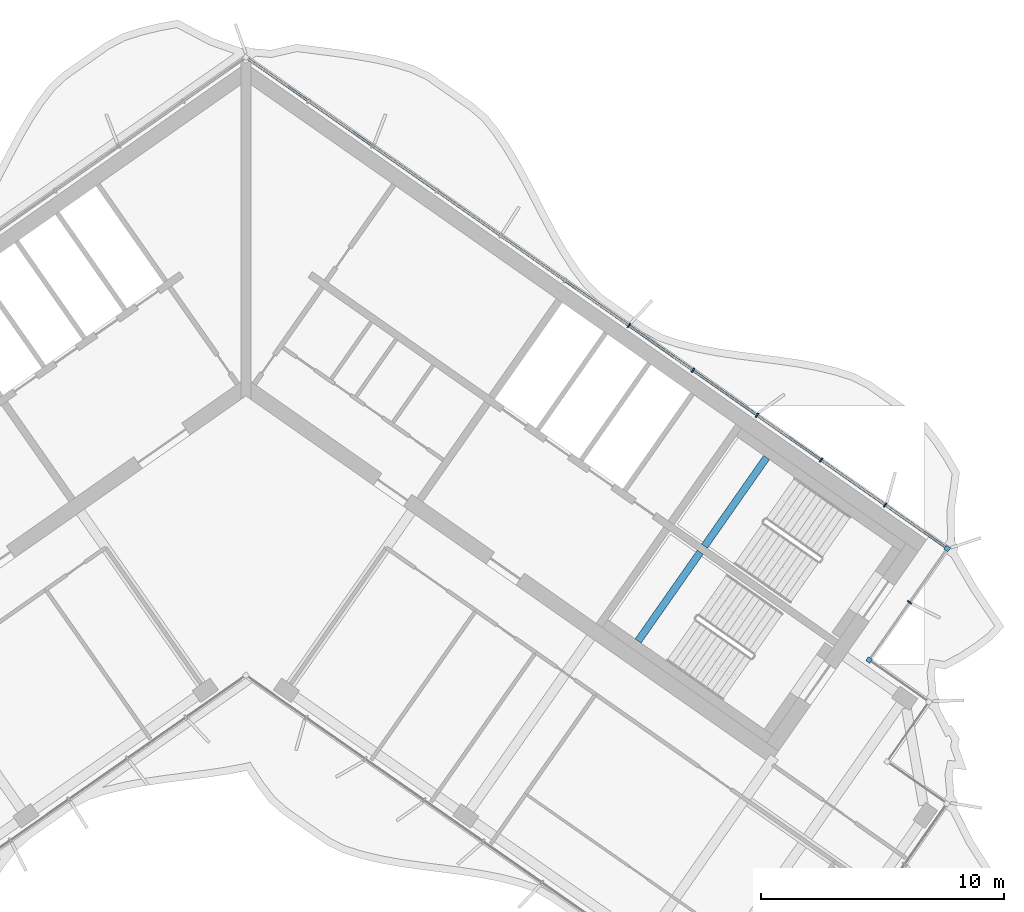
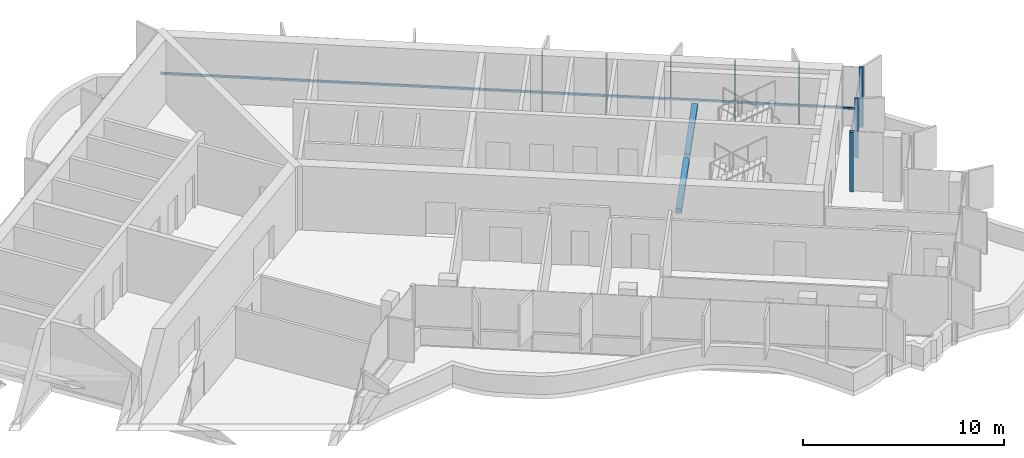
# One storey, part 5 of 17: 9 members, 2 beams, 1 element without a shape of its own.
"""IFC4 building model written with IfcOpenShell, lengths in metres."""

from ifc_helpers import new_model, si_unit, direction, frame, origin, origin_2d, place, context, subcontext, project, spatial, rectangle, extrude, material, material_profile, profile_set, type_object, element, aggregate, save


model = new_model("IFC4")

# Units and contexts
model_context = context("Model", 3, precision=1e-05, world=origin(), true_north=direction((0.0, 1.0)))
body_context = subcontext(model_context, "Body", "Model", "MODEL_VIEW")
ifc_project = project(units=[si_unit("LENGTHUNIT", "METRE"), si_unit("AREAUNIT", "SQUARE_METRE"), si_unit("VOLUMEUNIT", "CUBIC_METRE"), si_unit("PLANEANGLEUNIT", "RADIAN"), si_unit("MASSUNIT", "GRAM", prefix="KILO")], contexts=[model_context])

# Site, building, storey
site_placement = place(None, origin())
site = spatial("IfcSite", under=ifc_project, at=site_placement, CompositionType="ELEMENT")
building_placement = place(site_placement, origin())
building = spatial("IfcBuilding", under=site, at=building_placement, Name="Tel Ilan Convention Tower", CompositionType="ELEMENT")
storey_placement = place(building_placement, frame((0.0, 0.0, 280.0)))
storey = spatial("IfcBuildingStorey", under=building, at=storey_placement, Name="L66", CompositionType="ELEMENT", Elevation=280.0)

# Curtain wall, members
ifc_material_1 = material(Name="Aluminium, bronze anodised", Category="aluminium")
curtain_wall_type = type_object("IfcCurtainWallType", Name="CW2 STICK CURTAIN WALL, SPANDREL PANELS", PredefinedType="NOTDEFINED", material=ifc_material_1)
curtain_wall_placement = place(storey_placement, origin())
curtain_wall = element("IfcCurtainWall", 1, at=curtain_wall_placement, inside=storey, type_object=curtain_wall_type, Name="Curtain wall CW2-50.01", PredefinedType="NOTDEFINED")
ifc_material_2 = material(Name="Aluminium, bronze anodised", Category="aluminium")
ifc_material_profile_1 = material_profile(ifc_material_2, rectangle(XDim=0.199951171875, YDim=0.199951171875, at=origin_2d()), Name="CW CORNER MULLION 200x200")
ifc_profile_set_1 = profile_set([ifc_material_profile_1], Name="Aluminium, bronze anodised")
member_type_1 = type_object("IfcMemberType", Name="CW CORNER MULLION 200x200", PredefinedType="MULLION", material=ifc_profile_set_1)
member_1_placement = place(storey_placement, frame((25.607421875, -12.07080078125, 0.0), z_axis=(0.0, 0.0, 1.0), x_axis=(-0.819152044289, 0.573576436351, 0.0)))
member_1 = element("IfcMember", 2, at=member_1_placement, type_object=member_type_1, Name="Corner mullion", PredefinedType="MULLION", context=body_context, shape_type="SweptSolid", body=[
    extrude(rectangle(XDim=0.199951171875, YDim=0.199951171875, at=origin_2d()), origin(), (0.0, 0.0, 1.0), 3.6201171875),
])
member_2_placement = place(storey_placement, frame((28.819580078125, -7.483642578125, 0.0), z_axis=(0.0, 0.0, 1.0), x_axis=(0.573576436351, 0.819152044289, 0.0)))
member_2 = element("IfcMember", 3, at=member_2_placement, type_object=member_type_1, Name="Corner mullion", PredefinedType="MULLION", context=body_context, shape_type="SweptSolid", body=[
    extrude(rectangle(XDim=0.199951171875, YDim=0.199951171875, at=origin_2d()), origin(), (0.0, 0.0, 1.0), 3.6201171875),
])
ifc_material_3 = material(Name="Aluminium, bronze anodised", Category="aluminium")
ifc_material_profile_2 = material_profile(ifc_material_3, rectangle(XDim=0.06005859375, YDim=0.199951171875, at=origin_2d()), Name="CW MULLION 60x200")
ifc_profile_set_2 = profile_set([ifc_material_profile_2], Name="Aluminium, bronze anodised")
member_type_2 = type_object("IfcMemberType", Name="CW MULLION 60x200", PredefinedType="MULLION", material=ifc_profile_set_2)
member_3_placement = place(storey_placement, frame((27.27099609375, -9.6953125, 0.0), z_axis=(0.0, 0.0, 1.0), x_axis=(0.573576436351, 0.819152044289, 0.0)))
member_3 = element("IfcMember", 4, at=member_3_placement, type_object=member_type_2, Name="Mullion", PredefinedType="MULLION", context=body_context, shape_type="SweptSolid", body=[
    extrude(rectangle(XDim=0.06005859375, YDim=0.199951171875, at=origin_2d()), origin(), (0.0, 0.0, 1.0), 3.6201171875),
])
member_4_placement = place(storey_placement, frame((26.268798828125, -5.697509765625, 0.0), z_axis=(0.0, 0.0, 1.0), x_axis=(-0.819152044289, 0.573576436351, 0.0)))
member_4 = element("IfcMember", 5, at=member_4_placement, type_object=member_type_2, Name="Mullion", PredefinedType="MULLION", context=body_context, shape_type="SweptSolid", body=[
    extrude(rectangle(XDim=0.06005859375, YDim=0.199951171875, at=origin_2d()), origin(), (0.0, 0.0, 1.0), 3.6201171875),
])
member_5_placement = place(storey_placement, frame((23.63623046875, -3.854248046875, 0.0), z_axis=(0.0, 0.0, 1.0), x_axis=(-0.819152044289, 0.573576436351, 0.0)))
member_5 = element("IfcMember", 6, at=member_5_placement, type_object=member_type_2, Name="Mullion", PredefinedType="MULLION", context=body_context, shape_type="SweptSolid", body=[
    extrude(rectangle(XDim=0.06005859375, YDim=0.199951171875, at=origin_2d()), origin(), (0.0, 0.0, 1.0), 3.6201171875),
])
member_6_placement = place(storey_placement, frame((21.003662109375, -2.0107421875, 0.0), z_axis=(0.0, 0.0, 1.0), x_axis=(-0.819152044289, 0.573576436351, 0.0)))
member_6 = element("IfcMember", 7, at=member_6_placement, type_object=member_type_2, Name="Mullion", PredefinedType="MULLION", context=body_context, shape_type="SweptSolid", body=[
    extrude(rectangle(XDim=0.06005859375, YDim=0.199951171875, at=origin_2d()), origin(), (0.0, 0.0, 1.0), 3.6201171875),
])
member_7_placement = place(storey_placement, frame((18.37109375, -0.16748046875, 0.0), z_axis=(0.0, 0.0, 1.0), x_axis=(-0.819152044289, 0.573576436351, 0.0)))
member_7 = element("IfcMember", 8, at=member_7_placement, type_object=member_type_2, Name="Mullion", PredefinedType="MULLION", context=body_context, shape_type="SweptSolid", body=[
    extrude(rectangle(XDim=0.06005859375, YDim=0.199951171875, at=origin_2d()), origin(), (0.0, 0.0, 1.0), 3.6201171875),
])
member_8_placement = place(storey_placement, frame((15.73828125, 1.676025390625, 0.0), z_axis=(0.0, 0.0, 1.0), x_axis=(-0.819152044289, 0.573576436351, 0.0)))
member_8 = element("IfcMember", 9, at=member_8_placement, type_object=member_type_2, Name="Mullion", PredefinedType="MULLION", context=body_context, shape_type="SweptSolid", body=[
    extrude(rectangle(XDim=0.06005859375, YDim=0.199951171875, at=origin_2d()), origin(), (0.0, 0.0, 1.0), 3.6201171875),
])
ifc_material_4 = material(Name="Aluminium, bronze anodised", Category="aluminium")
ifc_material_profile_3 = material_profile(ifc_material_4, rectangle(XDim=0.10009765625, YDim=0.1201171875, at=origin_2d()), Name="CW TRANSOM 100x120")
ifc_profile_set_3 = profile_set([ifc_material_profile_3], Name="Aluminium, bronze anodised")
member_type_3 = type_object("IfcMemberType", Name="CW TRANSOM 100x120", PredefinedType="USERDEFINED", material=ifc_profile_set_3)
member_9_placement = place(storey_placement, frame((28.737548828125, -7.42626953125, 1.10009765625), z_axis=(-0.819150201937, 0.573579067494, 0.0), x_axis=(-0.573579067494, -0.819150201937, 0.0)))
member_9 = element("IfcMember", 10, at=member_9_placement, type_object=member_type_3, Name="Transom", ObjectType="TRANSOM", PredefinedType="USERDEFINED", context=body_context, shape_type="SweptSolid", body=[
    extrude(rectangle(XDim=0.10009765625, YDim=0.1201171875, at=origin_2d()), origin(), (0.0, 0.0, 1.0), 34.9521484375),
])
aggregate(curtain_wall, [member_1, member_3, member_2, member_4, member_5, member_6, member_7, member_8, member_9])

# Beams
ifc_material_5 = material(Name="Concrete C40/50", Category="concrete")
ifc_material_profile_4 = material_profile(ifc_material_5, rectangle(XDim=0.300048828125, YDim=0.300048828125, at=origin_2d()), Name="RC 300x300")
ifc_profile_set_4 = profile_set([ifc_material_profile_4], Name="Concrete C40/50")
beam_type = type_object("IfcBeamType", Name="Landing Beam RC 300x300 Concrete C40/50", PredefinedType="BEAM", material=ifc_profile_set_4)
beam_1_placement = place(storey_placement, frame((21.39404296875, -3.7490234375, 1.60009765625), z_axis=(-0.573547030514, -0.819172633691, 0.0), x_axis=(0.819172633691, -0.573547030514, 0.0)))
element("IfcBeam", 11, at=beam_1_placement, inside=storey, type_object=beam_type, Name="S3 landing beam L66.1", PredefinedType="BEAM", context=body_context, shape_type="SweptSolid", body=[
    extrude(rectangle(XDim=0.300048828125, YDim=0.300048828125, at=origin_2d()), origin(), (0.0, 0.0, 1.0), 4.449951171875),
])
beam_2_placement = place(storey_placement, frame((18.669677734375, -7.64013671875, 1.60009765625), z_axis=(-0.573583844845, -0.819146856756, 0.0), x_axis=(0.819146856756, -0.573583844845, 0.0)))
element("IfcBeam", 12, at=beam_2_placement, inside=storey, type_object=beam_type, Name="S4 landing beam L66.1", PredefinedType="BEAM", context=body_context, shape_type="SweptSolid", body=[
    extrude(rectangle(XDim=0.300048828125, YDim=0.300048828125, at=origin_2d()), origin(), (0.0, 0.0, 1.0), 4.4501953125),
])

save(model, "model.ifc")
